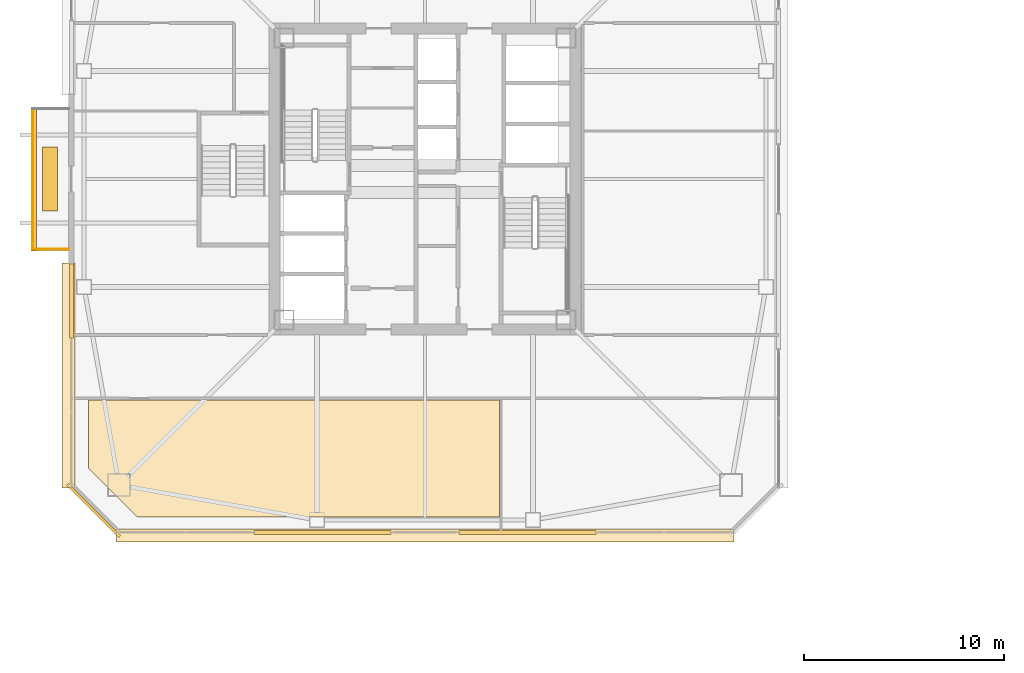
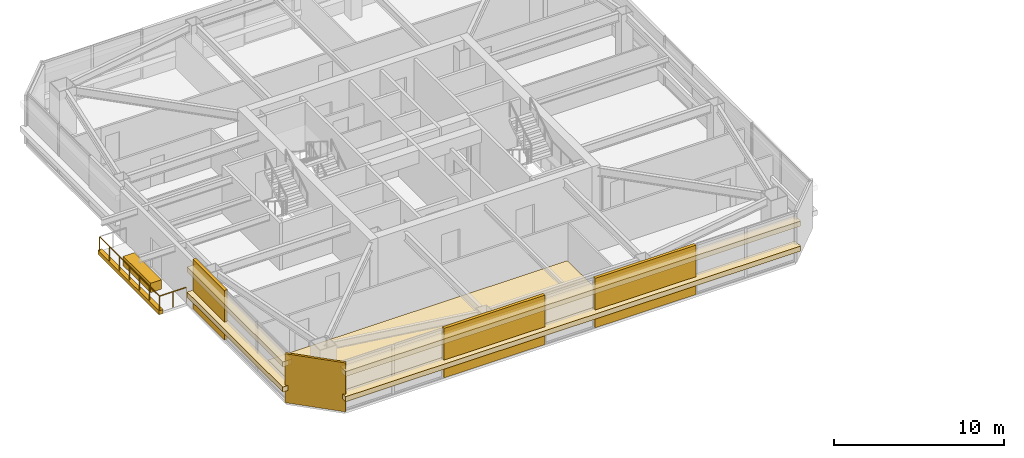
# One storey, part 38 of 43: 11 coverings, 2 railings.
"""IFC4 building model written with IfcOpenShell, lengths in metres."""

from ifc_helpers import new_model, si_unit, direction, frame, origin, origin_2d, place, context, subcontext, project, spatial, polyline, rectangle, outline, extrude, material, layer, layer_set, type_object, element, save


model = new_model("IFC4")

# Units and contexts
model_context = context("Model", 3, precision=1e-05, world=origin(), true_north=direction((0.0, 1.0)))
body_context = subcontext(model_context, "Body", "Model", "MODEL_VIEW")
ifc_project = project(units=[si_unit("LENGTHUNIT", "METRE"), si_unit("AREAUNIT", "SQUARE_METRE"), si_unit("VOLUMEUNIT", "CUBIC_METRE"), si_unit("PLANEANGLEUNIT", "RADIAN"), si_unit("MASSUNIT", "GRAM", prefix="KILO")], contexts=[model_context])

# Site, building, storey
site_placement = place(None, origin())
site = spatial("IfcSite", under=ifc_project, at=site_placement, CompositionType="ELEMENT")
building_placement = place(site_placement, origin())
building = spatial("IfcBuilding", under=site, at=building_placement, Name="Tashvorn Skyway Center", CompositionType="ELEMENT")
storey_placement = place(building_placement, frame((0.0, 0.0, 185.39990234375)))
storey = spatial("IfcBuildingStorey", under=building, at=storey_placement, Name="L50", CompositionType="ELEMENT", Elevation=185.39990234375)

# Coverings
ifc_material_1 = material(Name="Precast concrete C40/50", Category="concrete")
ifc_layer_1 = layer(ifc_material_1, 0.199951171875)
ifc_layer_set_1 = layer_set([ifc_layer_1], Name="Precast concrete C40/50")
covering_type_1 = type_object("IfcCoveringType", Name="COV-BRACE-CLAD", PredefinedType="CLADDING", material=ifc_layer_set_1)
for number, where, z_axis, x_axis, name in (
    (1, (47.126708984375, 14.320068359375, 0.0), (0.0, 0.0, 1.0), (-1.0, 0.0, 0.0), "Tower 1 L50 South Unitised Curtain Wall Mega-Brace Cladding Band 1"),
    (2, (36.873291015625, 14.320068359375, 0.0), (0.0, 0.0, 1.0), (-1.0, 0.0, 0.0), "Tower 1 L50 South Unitised Curtain Wall Mega-Brace Cladding Band 2"),
):
    element("IfcCovering", number, at=place(storey_placement, frame(where, z_axis=z_axis, x_axis=x_axis)), inside=storey, type_object=covering_type_1, Name=name, PredefinedType="CLADDING", context=body_context, shape_type="SweptSolid", body=[
        extrude(rectangle(XDim=6.83544921875, YDim=0.199951171875, at=origin_2d()), origin(), (0.0, 0.0, 1.0), 3.550048828125),
    ])
covering_1_placement = place(storey_placement, frame((24.320068359375, 25.89501953125, 0.0), z_axis=(0.0, 0.0, 1.0), x_axis=(0.0, 1.0, 0.0)))
element("IfcCovering", 3, at=covering_1_placement, inside=storey, type_object=covering_type_1, Name="Tower 1 L50 West Curtain Wall L Mega-Brace Cladding Band 1", PredefinedType="CLADDING", context=body_context, shape_type="SweptSolid", body=[
    extrude(rectangle(XDim=3.7099609375, YDim=0.199951171875, at=origin_2d()), origin(), (0.0, 0.0, 1.0), 3.550048828125),
])
ifc_material_2 = material(Name="Polished Mojave desert-aggregate terrazzo and cover plate")
ifc_layer_2 = layer(ifc_material_2, 0.0400390625)
ifc_layer_set_2 = layer_set([ifc_layer_2], Name="Polished Mojave desert-aggregate terrazzo and cover plate")
covering_type_2 = type_object("IfcCoveringType", Name="COV-FLR-40", PredefinedType="FLOORING", material=ifc_layer_set_2)
covering_2_placement = place(storey_placement, origin())
element("IfcCovering", 4, at=covering_2_placement, inside=storey, type_object=covering_type_2, Name="Tower 1 L50 Executive Study Lounge Finish Flooring", PredefinedType="FLOORING", context=body_context, shape_type="SweptSolid", body=[
    extrude(outline(polyline([(27.60009765625, 15.10009765625), (25.179931640625, 17.52001953125), (25.179931640625, 20.949951171875), (45.719970703125, 20.949951171875), (45.719970703125, 15.10009765625), (27.60009765625, 15.10009765625)])), origin(), (0.0, 0.0, 1.0), 0.0400390625),
])
ifc_material_3 = material(Name="Perforated ceramic-coated bronze aluminium solar screen", Category="aluminium")
ifc_layer_3 = layer(ifc_material_3, 0.85009765625)
ifc_layer_set_3 = layer_set([ifc_layer_3], Name="Perforated ceramic-coated bronze aluminium solar screen")
covering_type_3 = type_object("IfcCoveringType", Name="COV-SOLAR-BAND", PredefinedType="CLADDING", material=ifc_layer_set_3)
for number, where, z_axis, x_axis, name in (
    (5, (42.0, 14.179931640625, 0.919921875), (0.0, 0.0, 1.0), (-1.0, 0.0, 0.0), "L50 Perforated Ceramic-Metal Solar Screen Louvre Band South 1"),
    (6, (42.0, 14.179931640625, 2.72021484375), (0.0, 0.0, 1.0), (-1.0, 0.0, 0.0), "L50 Perforated Ceramic-Metal Solar Screen Louvre Band South 2"),
):
    element("IfcCovering", number, at=place(storey_placement, frame(where, z_axis=z_axis, x_axis=x_axis)), inside=storey, type_object=covering_type_3, Name=name, PredefinedType="CLADDING", context=body_context, shape_type="SweptSolid", body=[
        extrude(rectangle(XDim=30.8798828125, YDim=0.639892578125, at=origin_2d()), origin(), (0.0, 0.0, 1.0), 0.360107421875),
    ])
for number, where, z_axis, x_axis, name in (
    (7, (24.179931640625, 22.18505859375, 0.919921875), (0.0, 0.0, 1.0), (0.0, 1.0, 0.0), "L50 Perforated Ceramic-Metal Solar Screen Louvre Band West 1"),
    (8, (24.179931640625, 22.18505859375, 2.72021484375), (0.0, 0.0, 1.0), (0.0, 1.0, 0.0), "L50 Perforated Ceramic-Metal Solar Screen Louvre Band West 2"),
):
    element("IfcCovering", number, at=place(storey_placement, frame(where, z_axis=z_axis, x_axis=x_axis)), inside=storey, type_object=covering_type_3, Name=name, PredefinedType="CLADDING", context=body_context, shape_type="SweptSolid", body=[
        extrude(rectangle(XDim=11.25, YDim=0.639892578125, at=origin_2d()), origin(), (0.0, 0.0, 1.0), 0.360107421875),
    ])
ifc_layer_4 = layer(ifc_material_1, 0.35009765625)
ifc_layer_set_4 = layer_set([ifc_layer_4], Name="Precast concrete C40/50")
covering_type_4 = type_object("IfcCoveringType", Name="COV-STONE-TRIM", PredefinedType="CLADDING", material=ifc_layer_set_4)
covering_3_placement = place(storey_placement, frame((22.43994140625, 32.0, -0.16015625), z_axis=(0.0, 0.0, 1.0), x_axis=(0.0, 1.0, 0.0)))
element("IfcCovering", 9, at=covering_3_placement, inside=storey, type_object=covering_type_4, Name="Tower 1 L50 Spiral Terrace Terracotta Fascia", PredefinedType="CLADDING", context=body_context, shape_type="SweptSolid", body=[
    extrude(rectangle(XDim=7.199951171875, YDim=0.280029296875, at=origin_2d()), origin(), (0.0, 0.0, 1.0), 0.280029296875),
])
covering_4_placement = place(storey_placement, frame((23.25, 32.0, 0.0), z_axis=(0.0, 0.0, 1.0), x_axis=(0.0, 1.0, 0.0)))
element("IfcCovering", 10, at=covering_4_placement, inside=storey, type_object=covering_type_4, Name="Tower 1 L50 Spiral Terrace Planter", PredefinedType="CLADDING", context=body_context, shape_type="SweptSolid", body=[
    extrude(rectangle(XDim=3.199951171875, YDim=0.75, at=origin_2d()), origin(), (0.0, 0.0, 1.0), 0.679931640625),
])
covering_5_placement = place(storey_placement, frame((25.429931640625, 15.429931640625, 0.02001953125), z_axis=(0.0, 0.0, 1.0), x_axis=(-0.707106781187, 0.707106781187, 0.0)))
element("IfcCovering", 11, at=covering_5_placement, inside=storey, type_object=covering_type_4, Name="Tower 1 L50 SW Mojave Limestone Corner Quoin", PredefinedType="CLADDING", context=body_context, shape_type="SweptSolid", body=[
    extrude(rectangle(XDim=3.695556640625, YDim=0.139892578125, at=origin_2d()), origin(), (0.0, 0.0, 1.0), 3.510009765625),
])

# Railings
ifc_material_4 = material(Name="Galvanized steel S355", Category="steel")
railing_type = type_object("IfcRailingType", Name="RAIL-GUARD-1120", PredefinedType="GUARDRAIL", material=ifc_material_4)
railing_1_placement = place(storey_placement, frame((24.199951171875, 28.47998046875, 0.0)))
element("IfcRailing", 12, at=railing_1_placement, inside=storey, type_object=railing_type, Name="L50 Tower 1 Terrace Guardrail 01", PredefinedType="GUARDRAIL", context=body_context, shape_type="SweptSolid", body=[
    extrude(rectangle(XDim=0.048095703125, YDim=0.048095703125, at=origin_2d()), frame((0.0, 0.0, 1.09619140625), z_axis=(-1.0, 0.0, 0.0), x_axis=(0.0, -1.0, 0.0)), (0.0, 0.0, 1.0), 1.820068359375),
    extrude(rectangle(XDim=0.0419921875, YDim=0.0419921875, at=origin_2d()), origin(), (0.0, 0.0, 1.0), 1.072021484375),
    extrude(rectangle(XDim=0.0419921875, YDim=0.0419921875, at=origin_2d()), frame((-0.91015625, 0.0, 0.0)), (0.0, 0.0, 1.0), 1.072021484375),
    extrude(rectangle(XDim=0.0419921875, YDim=0.0419921875, at=origin_2d()), frame((-1.820068359375, 0.0, 0.0)), (0.0, 0.0, 1.0), 1.072021484375),
])
railing_2_placement = place(storey_placement, frame((22.3798828125, 28.47998046875, 0.0)))
element("IfcRailing", 13, at=railing_2_placement, inside=storey, type_object=railing_type, Name="L50 Tower 1 Terrace Guardrail 02", PredefinedType="GUARDRAIL", context=body_context, shape_type="SweptSolid", body=[
    extrude(rectangle(XDim=0.048095703125, YDim=0.048095703125, at=origin_2d()), frame((0.0, 0.0, 1.09619140625), z_axis=(0.0, 1.0, 0.0), x_axis=(-1.0, 0.0, 0.0)), (0.0, 0.0, 1.0), 7.0400390625),
    extrude(rectangle(XDim=0.0419921875, YDim=0.0419921875, at=origin_2d()), origin(), (0.0, 0.0, 1.0), 1.072021484375),
    extrude(rectangle(XDim=0.0419921875, YDim=0.0419921875, at=origin_2d()), frame((0.0, 1.17333984375, 0.0)), (0.0, 0.0, 1.0), 1.072021484375),
    extrude(rectangle(XDim=0.0419921875, YDim=0.0419921875, at=origin_2d()), frame((0.0, 2.3466796875, 0.0)), (0.0, 0.0, 1.0), 1.072021484375),
    extrude(rectangle(XDim=0.0419921875, YDim=0.0419921875, at=origin_2d()), frame((0.0, 3.52001953125, 0.0)), (0.0, 0.0, 1.0), 1.072021484375),
    extrude(rectangle(XDim=0.0419921875, YDim=0.0419921875, at=origin_2d()), frame((0.0, 4.693359375, 0.0)), (0.0, 0.0, 1.0), 1.072021484375),
    extrude(rectangle(XDim=0.0419921875, YDim=0.0419921875, at=origin_2d()), frame((0.0, 5.86669921875, 0.0)), (0.0, 0.0, 1.0), 1.072021484375),
    extrude(rectangle(XDim=0.0419921875, YDim=0.0419921875, at=origin_2d()), frame((0.0, 7.0400390625, 0.0)), (0.0, 0.0, 1.0), 1.072021484375),
])

save(model, "model.ifc")
